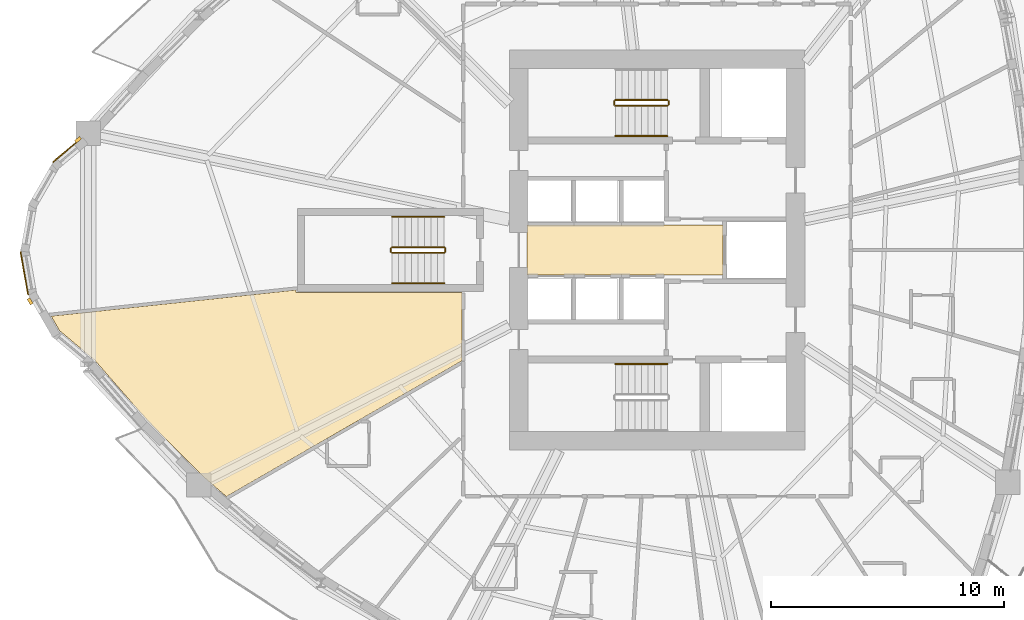
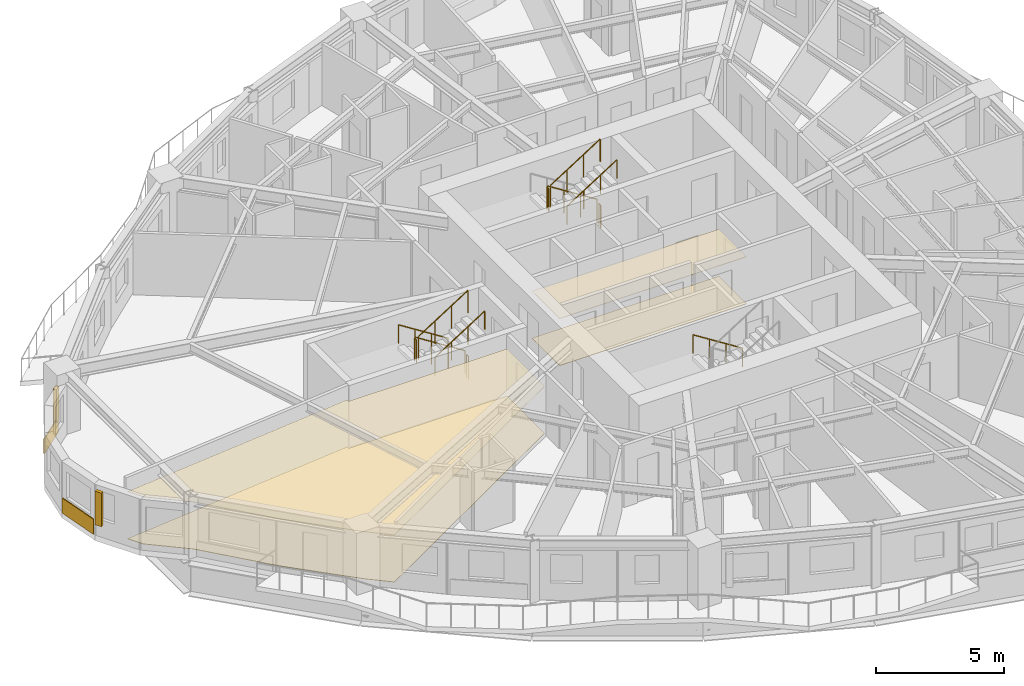
# One storey, part 12 of 14: 12 railings, 6 coverings, 2 shading devices.
"""IFC4 building model written with IfcOpenShell, lengths in metres."""

from ifc_helpers import new_model, si_unit, direction, frame, origin, origin_2d, place, context, subcontext, project, spatial, polyline, rectangle, circle, outline, extrude, source, transform, mapped, material, layer, layer_set, type_object, element, save


model = new_model("IFC4")

# Units and contexts
model_context = context("Model", 3, precision=1e-05, world=origin(), true_north=direction((0.0, 1.0)))
body_context = subcontext(model_context, "Body", "Model", "MODEL_VIEW")
ifc_project = project(units=[si_unit("LENGTHUNIT", "METRE"), si_unit("AREAUNIT", "SQUARE_METRE"), si_unit("VOLUMEUNIT", "CUBIC_METRE"), si_unit("PLANEANGLEUNIT", "RADIAN"), si_unit("MASSUNIT", "GRAM", prefix="KILO")], contexts=[model_context])

# Site, building, storey
site_placement = place(None, origin())
site = spatial("IfcSite", under=ifc_project, at=site_placement, CompositionType="ELEMENT")
building_placement = place(site_placement, origin())
building = spatial("IfcBuilding", under=site, at=building_placement, Name="Qafzar Sky-Pleat Residences", CompositionType="ELEMENT")
storey_placement = place(building_placement, frame((0.0, 0.0, 7.800048828125)))
storey = spatial("IfcBuildingStorey", under=building, at=storey_placement, Name="L01", CompositionType="ELEMENT", Elevation=7.800048828125)

# Coverings
ifc_material_1 = material(Name="Perforated acoustic gypsum board ceiling")
ifc_layer_1 = layer(ifc_material_1, 0.02001953125)
ifc_layer_set_1 = layer_set([ifc_layer_1], Name="Perforated acoustic gypsum board ceiling")
covering_type_1 = type_object("IfcCoveringType", Name="COV-CEIL-ACOUSTIC", PredefinedType="CEILING", material=ifc_layer_set_1)
covering_1_placement = place(storey_placement, frame((0.0, 0.0, 2.239990234375)))
element("IfcCovering", 1, at=covering_1_placement, inside=storey, type_object=covering_type_1, Name="L01 Passenger Lift Lobby Acoustic Ceiling", PredefinedType="CEILING", context=body_context, shape_type="SweptSolid", body=[
    extrude(outline(polyline([(33.179931640625, 24.919921875), (24.77001953125, 24.919921875), (24.77001953125, 27.080078125), (33.179931640625, 27.080078125), (33.179931640625, 24.919921875)])), origin(), (0.0, 0.0, 1.0), 0.02001953125),
])
covering_2_placement = place(storey_placement, frame((0.0, 0.0, 2.239990234375)))
element("IfcCovering", 2, at=covering_2_placement, inside=storey, type_object=covering_type_1, Name="L01 Resident Atrium Foyer Acoustic Ceiling", PredefinedType="CEILING", context=body_context, shape_type="SweptSolid", body=[
    extrude(outline(polyline([(10.921142578125, 16.194091796875), (8.50341796875, 18.602783203125), (6.180908203125, 21.263427734375), (4.668212890625, 22.532958984375), (4.30615234375, 23.159912109375), (14.840087890625, 24.2841796875), (14.840087890625, 24.1650390625), (21.9599609375, 24.1650390625), (21.9599609375, 21.2353515625), (11.83837890625, 15.403564453125), (10.921142578125, 16.194091796875)])), origin(), (0.0, 0.0, 1.0), 0.02001953125),
])
ifc_material_2 = material(Name="Honed porcelain and Riyadh stone tile flooring", Category="masonry")
ifc_layer_2 = layer(ifc_material_2, 0.02001953125)
ifc_layer_set_2 = layer_set([ifc_layer_2], Name="Honed porcelain and Riyadh stone tile flooring")
covering_type_2 = type_object("IfcCoveringType", Name="COV-FLR-PORCELAIN", PredefinedType="FLOORING", material=ifc_layer_set_2)
covering_3_placement = place(storey_placement, origin())
element("IfcCovering", 3, at=covering_3_placement, inside=storey, type_object=covering_type_2, Name="L01 Passenger Lift Lobby Honed Stone Flooring", PredefinedType="FLOORING", context=body_context, shape_type="SweptSolid", body=[
    extrude(outline(polyline([(33.179931640625, 24.919921875), (24.77001953125, 24.919921875), (24.77001953125, 27.080078125), (33.179931640625, 27.080078125), (33.179931640625, 24.919921875)])), origin(), (0.0, 0.0, 1.0), 0.02001953125),
])
covering_4_placement = place(storey_placement, origin())
element("IfcCovering", 4, at=covering_4_placement, inside=storey, type_object=covering_type_2, Name="L01 Resident Atrium Foyer Honed Stone Flooring", PredefinedType="FLOORING", context=body_context, shape_type="SweptSolid", body=[
    extrude(outline(polyline([(10.921142578125, 16.194091796875), (8.50341796875, 18.602783203125), (6.180908203125, 21.263427734375), (4.668212890625, 22.532958984375), (4.30615234375, 23.159912109375), (14.840087890625, 24.2841796875), (14.840087890625, 24.1650390625), (21.9599609375, 24.1650390625), (21.9599609375, 21.2353515625), (11.83837890625, 15.403564453125), (10.921142578125, 16.194091796875)])), origin(), (0.0, 0.0, 1.0), 0.02001953125),
])
ifc_material_3 = material(Name="Honed Riyadh Tuwaiq limestone cladding", Category="masonry")
ifc_layer_3 = layer(ifc_material_3, 0.044921875)
ifc_layer_set_3 = layer_set([ifc_layer_3], Name="Honed Riyadh Tuwaiq limestone cladding")
covering_type_3 = type_object("IfcCoveringType", Name="COV-CLAD-STONE", PredefinedType="CLADDING", material=ifc_layer_set_3)
shared_shape_1 = source(origin(), body_context, "Body", "SweptSolid", [
    extrude(rectangle(XDim=1.5771484375, YDim=0.044921875, at=origin_2d()), origin(), (0.0, 0.0, 1.0), 0.719970703125),
])
covering_5_placement = place(storey_placement, frame((4.98486328125, 30.28369140625, 0.02001953125), z_axis=(0.0, 0.0, 1.0), x_axis=(-0.766074606481, -0.642751660678, 0.0)))
element("IfcCovering", 5, at=covering_5_placement, inside=storey, type_object=covering_type_3, Name="L01 Riyadh Limestone Spandrel Cladding 1", PredefinedType="CLADDING", context=body_context, shape_type="MappedRepresentation", body=[
    mapped(shared_shape_1, transform((0.0, 0.0, 0.0), x_axis=(1.0, 0.0, 0.0), y_axis=(0.0, 1.0, 0.0), z_axis=(0.0, 0.0, 1.0), scale=1.0)),
])

# Shading devices
ifc_material_4 = material(Name="Honed Riyadh limestone solar fin", Category="masonry")
ifc_layer_4 = layer(ifc_material_4, 0.139892578125)
ifc_layer_set_4 = layer_set([ifc_layer_4], Name="Honed Riyadh limestone solar fin")
shading_device_type = type_object("IfcShadingDeviceType", Name="SHD-FIN-STONE", PredefinedType="SHUTTER", material=ifc_layer_set_4)
shared_shape_2 = source(origin(), body_context, "Body", "SweptSolid", [
    extrude(rectangle(XDim=0.139892578125, YDim=0.280029296875, at=origin_2d()), origin(), (0.0, 0.0, 1.0), 1.60009765625),
])
for number, where, z_axis, x_axis, name in (
    (6, (5.462890625, 30.740966796875, 0.599853515625), (0.0, 0.0, 1.0), (-0.642754210861, 0.76607246682, 0.0), "L01 Limestone Solar Fin 1"),
    (7, (3.40087890625, 23.7978515625, 0.599853515625), (0.0, 0.0, 1.0), (-0.86604422228, -0.499967403994, 0.0), "L01 Limestone Solar Fin 5"),
):
    element("IfcShadingDevice", number, at=place(storey_placement, frame(where, z_axis=z_axis, x_axis=x_axis)), inside=storey, type_object=shading_device_type, Name=name, PredefinedType="SHUTTER", context=body_context, shape_type="MappedRepresentation", body=[
        mapped(shared_shape_2, transform((0.0, 0.0, 0.0), x_axis=(1.0, 0.0, 0.0), y_axis=(0.0, 1.0, 0.0), z_axis=(0.0, 0.0, 1.0), scale=1.0)),
    ])

# Covering
shared_shape_3 = source(origin(), body_context, "Body", "SweptSolid", [
    extrude(rectangle(XDim=1.88134765625, YDim=0.044921875, at=origin_2d()), origin(), (0.0, 0.0, 1.0), 0.719970703125),
])
covering_6_placement = place(storey_placement, frame((3.1533203125, 25.00439453125, 0.02001953125), z_axis=(0.0, 0.0, 1.0), x_axis=(0.173662519465, -0.984805224059, 0.0)))
element("IfcCovering", 8, at=covering_6_placement, inside=storey, type_object=covering_type_3, Name="L01 Riyadh Limestone Spandrel Cladding 4", PredefinedType="CLADDING", context=body_context, shape_type="MappedRepresentation", body=[
    mapped(shared_shape_3, transform((0.0, 0.0, 0.0), x_axis=(1.0, 0.0, 0.0), y_axis=(0.0, 1.0, 0.0), z_axis=(0.0, 0.0, 1.0), scale=1.0)),
])

# Railings
ifc_material_5 = material(Name="Painted Steel S355 stair guardrail", Category="steel")
railing_type_1 = type_object("IfcRailingType", Name="RAIL-STAIR-GUARD", PredefinedType="GUARDRAIL", material=ifc_material_5)
shared_shape_4 = source(origin(), body_context, "Body", "SweptSolid", [
    extrude(circle(Radius=0.02392578125, at=origin_2d()), frame((0.0, 0.0, 1.076171875), z_axis=(0.0, -1.0, 0.0), x_axis=(1.0, 0.0, 0.0)), (0.0, 0.0, 1.0), 0.14990234375),
    extrude(circle(Radius=0.02099609375, at=origin_2d()), origin(), (0.0, 0.0, 1.0), 1.052001953125),
    extrude(circle(Radius=0.02099609375, at=origin_2d()), frame((0.0, -0.14990234375, 0.0)), (0.0, 0.0, 1.0), 1.052001953125),
])
for number, where, name in (
    (9, (28.510009765625, 32.39990234375, 1.599853515625), "L01 ST2 stair guard 2"),
    (10, (30.85009765625, 32.39990234375, 0.0), "L01 ST2 stair guard 4"),
    (11, (18.909912109375, 26.074951171875, 1.599853515625), "L01 ST3 stair guard 2"),
    (12, (21.25, 26.074951171875, 0.0), "L01 ST3 stair guard 4"),
):
    element("IfcRailing", number, at=place(storey_placement, frame(where)), inside=storey, type_object=railing_type_1, Name=name, PredefinedType="GUARDRAIL", context=body_context, shape_type="MappedRepresentation", body=[
        mapped(shared_shape_4, transform((0.0, 0.0, 0.0), x_axis=(1.0, 0.0, 0.0), y_axis=(0.0, 1.0, 0.0), z_axis=(0.0, 0.0, 1.0), scale=1.0)),
    ])
shared_shape_5 = source(origin(), body_context, "Body", "SweptSolid", [
    extrude(circle(Radius=0.02392578125, at=origin_2d()), frame((0.0, 0.0, 1.076171875), z_axis=(-0.8442293374, 0.0, 0.53598211339), x_axis=(0.0, -1.0, 0.0)), (0.0, 0.0, 1.0), 2.6533203125),
    extrude(circle(Radius=0.02099609375, at=origin_2d()), origin(), (0.0, 0.0, 1.0), 1.052001953125),
    extrude(circle(Radius=0.02099609375, at=origin_2d()), frame((-0.74658203125, 0.0, 0.47412109375)), (0.0, 0.0, 1.0), 1.052001953125),
    extrude(circle(Radius=0.02099609375, at=origin_2d()), frame((-1.493408203125, 0.0, 0.947998046875)), (0.0, 0.0, 1.0), 1.052001953125),
    extrude(circle(Radius=0.02099609375, at=origin_2d()), frame((-2.239990234375, 0.0, 1.422119140625)), (0.0, 0.0, 1.0), 1.052001953125),
])
for number, where, name in (
    (13, (30.800048828125, 32.449951171875, 0.177734375), "L01 ST2 stair guard 1"),
    (14, (21.199951171875, 26.125, 0.177734375), "L01 ST3 stair guard 1"),
):
    element("IfcRailing", number, at=place(storey_placement, frame(where)), inside=storey, type_object=railing_type_1, Name=name, PredefinedType="GUARDRAIL", context=body_context, shape_type="MappedRepresentation", body=[
        mapped(shared_shape_5, transform((0.0, 0.0, 0.0), x_axis=(1.0, 0.0, 0.0), y_axis=(0.0, 1.0, 0.0), z_axis=(0.0, 0.0, 1.0), scale=1.0)),
    ])
shared_shape_6 = source(origin(), body_context, "Body", "SweptSolid", [
    extrude(circle(Radius=0.02392578125, at=origin_2d()), frame((0.0, 0.0, 1.076171875), z_axis=(0.8442293374, 0.0, 0.53598211339), x_axis=(0.0, 1.0, 0.0)), (0.0, 0.0, 1.0), 2.6533203125),
    extrude(circle(Radius=0.02099609375, at=origin_2d()), origin(), (0.0, 0.0, 1.0), 1.052001953125),
    extrude(circle(Radius=0.02099609375, at=origin_2d()), frame((0.74658203125, 0.0, 0.47412109375)), (0.0, 0.0, 1.0), 1.052001953125),
    extrude(circle(Radius=0.02099609375, at=origin_2d()), frame((1.493408203125, 0.0, 0.947998046875)), (0.0, 0.0, 1.0), 1.052001953125),
    extrude(circle(Radius=0.02099609375, at=origin_2d()), frame((2.239990234375, 0.0, 1.422119140625)), (0.0, 0.0, 1.0), 1.052001953125),
])
for number, where, name in (
    (15, (28.56005859375, 32.199951171875, 1.77783203125), "L01 ST2 stair guard 3"),
    (16, (18.9599609375, 25.875, 1.77783203125), "L01 ST3 stair guard 3"),
):
    element("IfcRailing", number, at=place(storey_placement, frame(where)), inside=storey, type_object=railing_type_1, Name=name, PredefinedType="GUARDRAIL", context=body_context, shape_type="MappedRepresentation", body=[
        mapped(shared_shape_6, transform((0.0, 0.0, 0.0), x_axis=(1.0, 0.0, 0.0), y_axis=(0.0, 1.0, 0.0), z_axis=(0.0, 0.0, 1.0), scale=1.0)),
    ])
ifc_material_6 = material(Name="Brushed stainless steel handrail", Category="steel")
railing_type_2 = type_object("IfcRailingType", Name="RAIL-STAIR-HAND", PredefinedType="HANDRAIL", material=ifc_material_6)
shared_shape_7 = source(origin(), body_context, "Body", "SweptSolid", [
    extrude(circle(Radius=0.02392578125, at=origin_2d()), frame((0.0, 0.0, 0.8759765625), z_axis=(-0.8442293374, 0.0, 0.53598211339), x_axis=(0.0, -1.0, 0.0)), (0.0, 0.0, 1.0), 2.6533203125),
    extrude(circle(Radius=0.02099609375, at=origin_2d()), origin(), (0.0, 0.0, 1.0), 0.851806640625),
    extrude(circle(Radius=0.02099609375, at=origin_2d()), frame((-0.74658203125, 0.0, 0.47412109375)), (0.0, 0.0, 1.0), 0.851806640625),
    extrude(circle(Radius=0.02099609375, at=origin_2d()), frame((-1.493408203125, 0.0, 0.947998046875)), (0.0, 0.0, 1.0), 0.851806640625),
    extrude(circle(Radius=0.02099609375, at=origin_2d()), frame((-2.239990234375, 0.0, 1.422119140625)), (0.0, 0.0, 1.0), 0.851806640625),
])
for number, where, name in (
    (17, (30.800048828125, 21.10009765625, 0.177734375), "L01 ST1 stair handrail 1"),
    (18, (21.199951171875, 27.425048828125, 0.177734375), "L01 ST3 stair handrail 1"),
):
    element("IfcRailing", number, at=place(storey_placement, frame(where)), inside=storey, type_object=railing_type_2, Name=name, PredefinedType="HANDRAIL", context=body_context, shape_type="MappedRepresentation", body=[
        mapped(shared_shape_7, transform((0.0, 0.0, 0.0), x_axis=(1.0, 0.0, 0.0), y_axis=(0.0, 1.0, 0.0), z_axis=(0.0, 0.0, 1.0), scale=1.0)),
    ])
shared_shape_8 = source(origin(), body_context, "Body", "SweptSolid", [
    extrude(circle(Radius=0.02392578125, at=origin_2d()), frame((0.0, 0.0, 0.8759765625), z_axis=(0.8442293374, 0.0, 0.53598211339), x_axis=(0.0, 1.0, 0.0)), (0.0, 0.0, 1.0), 2.6533203125),
    extrude(circle(Radius=0.02099609375, at=origin_2d()), origin(), (0.0, 0.0, 1.0), 0.851806640625),
    extrude(circle(Radius=0.02099609375, at=origin_2d()), frame((0.74658203125, 0.0, 0.47412109375)), (0.0, 0.0, 1.0), 0.851806640625),
    extrude(circle(Radius=0.02099609375, at=origin_2d()), frame((1.493408203125, 0.0, 0.947998046875)), (0.0, 0.0, 1.0), 0.851806640625),
    extrude(circle(Radius=0.02099609375, at=origin_2d()), frame((2.239990234375, 0.0, 1.422119140625)), (0.0, 0.0, 1.0), 0.851806640625),
])
for number, where, name in (
    (19, (28.56005859375, 30.89990234375, 1.77783203125), "L01 ST2 stair handrail 2"),
    (20, (18.9599609375, 24.574951171875, 1.77783203125), "L01 ST3 stair handrail 2"),
):
    element("IfcRailing", number, at=place(storey_placement, frame(where)), inside=storey, type_object=railing_type_2, Name=name, PredefinedType="HANDRAIL", context=body_context, shape_type="MappedRepresentation", body=[
        mapped(shared_shape_8, transform((0.0, 0.0, 0.0), x_axis=(1.0, 0.0, 0.0), y_axis=(0.0, 1.0, 0.0), z_axis=(0.0, 0.0, 1.0), scale=1.0)),
    ])

save(model, "model.ifc")
